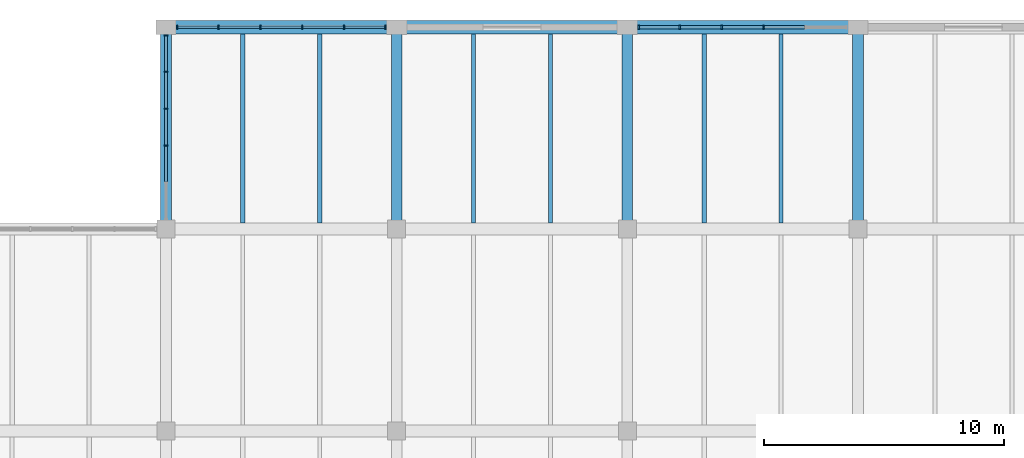
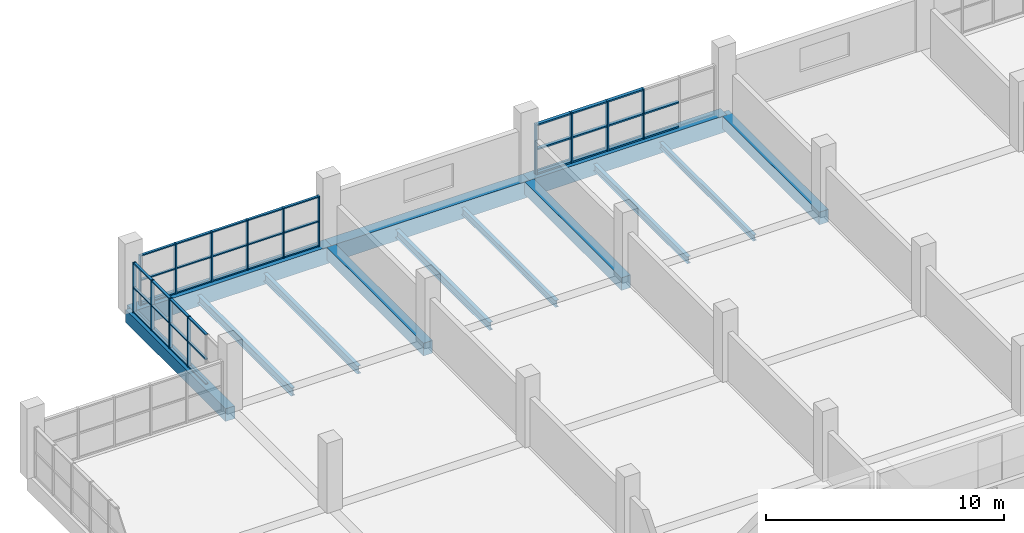
# One storey, part 85 of 147: 52 members, 13 beams, 3 elements without a shape of their own.
"""IFC4 building model written with IfcOpenShell, lengths in metres."""

from ifc_helpers import new_model, si_unit, direction, frame, origin, origin_2d, place, context, subcontext, project, spatial, rectangle, i_section, extrude, material, material_profile, profile_set, type_object, element, aggregate, save


model = new_model("IFC4")

# Units and contexts
model_context = context("Model", 3, precision=1e-05, world=origin(), true_north=direction((0.0, 1.0)))
body_context = subcontext(model_context, "Body", "Model", "MODEL_VIEW")
ifc_project = project(units=[si_unit("LENGTHUNIT", "METRE"), si_unit("AREAUNIT", "SQUARE_METRE"), si_unit("VOLUMEUNIT", "CUBIC_METRE"), si_unit("PLANEANGLEUNIT", "RADIAN"), si_unit("MASSUNIT", "GRAM", prefix="KILO")], contexts=[model_context])

# Site, building, storey
site_placement = place(None, origin())
site = spatial("IfcSite", under=ifc_project, at=site_placement, CompositionType="ELEMENT")
building_placement = place(site_placement, origin())
building = spatial("IfcBuilding", under=site, at=building_placement, Name="Oolite Switchyard Hospital", CompositionType="ELEMENT")
storey_placement = place(building_placement, frame((0.0, 0.0, 9.89990234375)))
storey = spatial("IfcBuildingStorey", under=building, at=storey_placement, Name="L02", CompositionType="ELEMENT", Elevation=9.89990234375)

# Beams
ifc_material_1 = material(Name="Concrete C40/50", Category="concrete")
ifc_material_profile_1 = material_profile(ifc_material_1, rectangle(XDim=0.449951171875, YDim=0.64990234375, at=origin_2d()), Name="RCB450X650")
ifc_profile_set_1 = profile_set([ifc_material_profile_1], Name="Concrete C40/50")
beam_type_1 = type_object("IfcBeamType", Name="BM-RC450X650", PredefinedType="BEAM", material=ifc_profile_set_1)
for number, where, z_axis, x_axis, name in (
    (1, (9.60009765625, 126.0, -0.324951171875), (0.0, 1.0, 0.0), (-1.0, 0.0, 0.0), "L02 Y-Girder 1276"),
    (2, (19.199951171875, 126.0, -0.324951171875), (0.0, 1.0, 0.0), (-1.0, 0.0, 0.0), "L02 Y-Girder 1292"),
    (3, (28.800048828125, 126.0, -0.324951171875), (0.0, 1.0, 0.0), (-1.0, 0.0, 0.0), "L02 Y-Girder 1307"),
    (4, (38.39990234375, 126.0, -0.324951171875), (0.0, 1.0, 0.0), (-1.0, 0.0, 0.0), "L02 Y-Girder 1323"),
):
    element("IfcBeam", number, at=place(storey_placement, frame(where, z_axis=z_axis, x_axis=x_axis)), inside=storey, type_object=beam_type_1, Name=name, PredefinedType="BEAM", context=body_context, shape_type="SweptSolid", body=[
        extrude(rectangle(XDim=0.449951171875, YDim=0.64990234375, at=origin_2d()), origin(), (0.0, 0.0, 1.0), 8.39990234375),
    ])
ifc_material_profile_2 = material_profile(ifc_material_1, rectangle(XDim=0.550048828125, YDim=0.85009765625, at=origin_2d()), Name="RCB550X850")
ifc_profile_set_2 = profile_set([ifc_material_profile_2], Name="Concrete C40/50")
beam_type_2 = type_object("IfcBeamType", Name="BM-RC550X850", PredefinedType="BEAM", material=ifc_profile_set_2)
beam_1_placement = place(storey_placement, frame((9.60009765625, 134.39990234375, -0.4248046875), z_axis=(1.0, 0.0, 0.0), x_axis=(0.0, 1.0, 0.0)))
element("IfcBeam", 5, at=beam_1_placement, inside=storey, type_object=beam_type_2, Name="L02 X-Girder 1235", PredefinedType="BEAM", context=body_context, shape_type="SweptSolid", body=[
    extrude(rectangle(XDim=0.550048828125, YDim=0.85009765625, at=origin_2d()), origin(), (0.0, 0.0, 1.0), 9.599853515625),
])
beam_2_placement = place(storey_placement, frame((19.199951171875, 134.39990234375, -0.4248046875), z_axis=(1.0, 0.0, 0.0), x_axis=(0.0, 1.0, 0.0)))
element("IfcBeam", 6, at=beam_2_placement, inside=storey, type_object=beam_type_2, Name="L02 X-Girder 1236", PredefinedType="BEAM", context=body_context, shape_type="SweptSolid", body=[
    extrude(rectangle(XDim=0.550048828125, YDim=0.85009765625, at=origin_2d()), origin(), (0.0, 0.0, 1.0), 9.60009765625),
])
beam_3_placement = place(storey_placement, frame((28.800048828125, 134.39990234375, -0.4248046875), z_axis=(1.0, 0.0, 0.0), x_axis=(0.0, 1.0, 0.0)))
element("IfcBeam", 7, at=beam_3_placement, inside=storey, type_object=beam_type_2, Name="L02 X-Girder 1237", PredefinedType="BEAM", context=body_context, shape_type="SweptSolid", body=[
    extrude(rectangle(XDim=0.550048828125, YDim=0.85009765625, at=origin_2d()), origin(), (0.0, 0.0, 1.0), 9.599853515625),
])
ifc_material_2 = material(Name="Steel ASTM A992 Grade 50", Category="steel")
ifc_material_profile_3 = material_profile(ifc_material_2, i_section(OverallWidth=0.1650390625, OverallDepth=0.31005859375, WebThickness=0.006103515625, FlangeThickness=0.010009765625, at=origin_2d()), Name="W12X26")
ifc_profile_set_3 = profile_set([ifc_material_profile_3], Name="Steel ASTM A992 Grade 50")
beam_type_3 = type_object("IfcBeamType", Name="BM-W12X26", PredefinedType="JOIST", material=ifc_profile_set_3)
beam_4_placement = place(storey_placement, frame((35.199951171875, 126.25, -0.414794921875), z_axis=(0.0, 1.0, 0.0), x_axis=(-1.0, 0.0, 0.0)))
element("IfcBeam", 8, at=beam_4_placement, inside=storey, type_object=beam_type_3, Name="L02 Secondary Steel Joist 1623", PredefinedType="JOIST", context=body_context, shape_type="SweptSolid", body=[
    extrude(i_section(OverallWidth=0.1650390625, OverallDepth=0.31005859375, WebThickness=0.006103515625, FlangeThickness=0.010009765625, at=origin_2d()), origin(), (0.0, 0.0, 1.0), 7.875),
])
ifc_material_profile_4 = material_profile(ifc_material_2, i_section(OverallWidth=0.1708984375, OverallDepth=0.35107421875, WebThickness=0.007080078125, FlangeThickness=0.010009765625, at=origin_2d()), Name="W14X30")
ifc_profile_set_4 = profile_set([ifc_material_profile_4], Name="Steel ASTM A992 Grade 50")
beam_type_4 = type_object("IfcBeamType", Name="BM-W14X30", PredefinedType="JOIST", material=ifc_profile_set_4)
for number, where, z_axis, x_axis, name in (
    (9, (25.60009765625, 126.25, -0.434814453125), (0.0, 1.0, 0.0), (-1.0, 0.0, 0.0), "L02 Secondary Steel Joist 1591"),
    (10, (32.0, 126.25, -0.434814453125), (0.0, 1.0, 0.0), (-1.0, 0.0, 0.0), "L02 Secondary Steel Joist 1622"),
):
    element("IfcBeam", number, at=place(storey_placement, frame(where, z_axis=z_axis, x_axis=x_axis)), inside=storey, type_object=beam_type_4, Name=name, PredefinedType="JOIST", context=body_context, shape_type="SweptSolid", body=[
        extrude(i_section(OverallWidth=0.1708984375, OverallDepth=0.35107421875, WebThickness=0.007080078125, FlangeThickness=0.010009765625, at=origin_2d()), origin(), (0.0, 0.0, 1.0), 7.875),
    ])
ifc_material_profile_5 = material_profile(ifc_material_2, i_section(OverallWidth=0.177978515625, OverallDepth=0.403076171875, WebThickness=0.008056640625, FlangeThickness=0.010986328125, at=origin_2d()), Name="W16X36")
ifc_profile_set_5 = profile_set([ifc_material_profile_5], Name="Steel ASTM A992 Grade 50")
beam_type_5 = type_object("IfcBeamType", Name="BM-W16X36", PredefinedType="JOIST", material=ifc_profile_set_5)
for number, where, z_axis, x_axis, name in (
    (11, (16.0, 126.25, -0.4609375), (0.0, 1.0, 0.0), (-1.0, 0.0, 0.0), "L02 Secondary Steel Joist 1563"),
    (12, (22.39990234375, 126.25, -0.4609375), (0.0, 1.0, 0.0), (-1.0, 0.0, 0.0), "L02 Secondary Steel Joist 1590"),
):
    element("IfcBeam", number, at=place(storey_placement, frame(where, z_axis=z_axis, x_axis=x_axis)), inside=storey, type_object=beam_type_5, Name=name, PredefinedType="JOIST", context=body_context, shape_type="SweptSolid", body=[
        extrude(i_section(OverallWidth=0.177978515625, OverallDepth=0.403076171875, WebThickness=0.008056640625, FlangeThickness=0.010986328125, at=origin_2d()), origin(), (0.0, 0.0, 1.0), 7.875),
    ])
ifc_material_profile_6 = material_profile(ifc_material_2, i_section(OverallWidth=0.179931640625, OverallDepth=0.4130859375, WebThickness=0.010009765625, FlangeThickness=0.01611328125, at=origin_2d()), Name="W16X50")
ifc_profile_set_6 = profile_set([ifc_material_profile_6], Name="Steel ASTM A992 Grade 50")
beam_type_6 = type_object("IfcBeamType", Name="BM-W16X50", PredefinedType="JOIST", material=ifc_profile_set_6)
beam_5_placement = place(storey_placement, frame((12.800048828125, 126.25, -0.4658203125), z_axis=(0.0, 1.0, 0.0), x_axis=(-1.0, 0.0, 0.0)))
element("IfcBeam", 13, at=beam_5_placement, inside=storey, type_object=beam_type_6, Name="L02 Secondary Steel Joist 1562", PredefinedType="JOIST", context=body_context, shape_type="SweptSolid", body=[
    extrude(i_section(OverallWidth=0.179931640625, OverallDepth=0.4130859375, WebThickness=0.010009765625, FlangeThickness=0.01611328125, at=origin_2d()), origin(), (0.0, 0.0, 1.0), 7.875),
])

# Curtain wall, members
ifc_material_3 = material(Name="Thermally broken aluminum frame with laminated impact glazing", Category="aluminium")
curtain_wall_type_1 = type_object("IfcCurtainWallType", Name="CW-UNIT-96X36", PredefinedType="USERDEFINED", material=ifc_material_3)
curtain_wall_1_placement = place(storey_placement, origin())
curtain_wall_1 = element("IfcCurtainWall", 14, at=curtain_wall_1_placement, inside=storey, type_object=curtain_wall_type_1, Name="L02 Unitised Curtain Wall 268", ObjectType="UNITISED", PredefinedType="USERDEFINED")
ifc_material_4 = material(Name="Aluminium 6063-T6", Category="aluminium")
ifc_material_profile_7 = material_profile(ifc_material_4, rectangle(XDim=0.159912109375, YDim=0.06005859375, at=origin_2d()), Name="CWM60X160")
ifc_profile_set_7 = profile_set([ifc_material_profile_7], Name="Aluminium 6063-T6")
member_type_1 = type_object("IfcMemberType", Name="CW-MUL-180", PredefinedType="MULLION", material=ifc_profile_set_7)
member_1_placement = place(storey_placement, frame((10.070068359375, 134.39990234375, 0.0), z_axis=(0.0, 0.0, 1.0), x_axis=(0.0, 1.0, 0.0)))
member_1 = element("IfcMember", 15, at=member_1_placement, type_object=member_type_1, Name="CW-03 mullion 1", PredefinedType="MULLION", context=body_context, shape_type="SweptSolid", body=[
    extrude(rectangle(XDim=0.159912109375, YDim=0.06005859375, at=origin_2d()), origin(), (0.0, 0.0, 1.0), 2.570068359375),
])
member_2_placement = place(storey_placement, frame((11.783935546875, 134.39990234375, 0.0), z_axis=(0.0, 0.0, 1.0), x_axis=(0.0, 1.0, 0.0)))
member_2 = element("IfcMember", 16, at=member_2_placement, type_object=member_type_1, Name="CW-03 mullion 2", PredefinedType="MULLION", context=body_context, shape_type="SweptSolid", body=[
    extrude(rectangle(XDim=0.159912109375, YDim=0.06005859375, at=origin_2d()), origin(), (0.0, 0.0, 1.0), 2.570068359375),
])
member_3_placement = place(storey_placement, frame((13.528076171875, 134.39990234375, 0.0), z_axis=(0.0, 0.0, 1.0), x_axis=(0.0, 1.0, 0.0)))
member_3 = element("IfcMember", 17, at=member_3_placement, type_object=member_type_1, Name="CW-03 mullion 3", PredefinedType="MULLION", context=body_context, shape_type="SweptSolid", body=[
    extrude(rectangle(XDim=0.159912109375, YDim=0.06005859375, at=origin_2d()), origin(), (0.0, 0.0, 1.0), 2.570068359375),
])
member_4_placement = place(storey_placement, frame((15.27197265625, 134.39990234375, 0.0), z_axis=(0.0, 0.0, 1.0), x_axis=(0.0, 1.0, 0.0)))
member_4 = element("IfcMember", 18, at=member_4_placement, type_object=member_type_1, Name="CW-03 mullion 4", PredefinedType="MULLION", context=body_context, shape_type="SweptSolid", body=[
    extrude(rectangle(XDim=0.159912109375, YDim=0.06005859375, at=origin_2d()), origin(), (0.0, 0.0, 1.0), 2.570068359375),
])
member_5_placement = place(storey_placement, frame((17.01611328125, 134.39990234375, 0.0), z_axis=(0.0, 0.0, 1.0), x_axis=(0.0, 1.0, 0.0)))
member_5 = element("IfcMember", 19, at=member_5_placement, type_object=member_type_1, Name="CW-03 mullion 5", PredefinedType="MULLION", context=body_context, shape_type="SweptSolid", body=[
    extrude(rectangle(XDim=0.159912109375, YDim=0.06005859375, at=origin_2d()), origin(), (0.0, 0.0, 1.0), 2.570068359375),
])
member_6_placement = place(storey_placement, frame((18.72998046875, 134.39990234375, 0.0), z_axis=(0.0, 0.0, 1.0), x_axis=(0.0, 1.0, 0.0)))
member_6 = element("IfcMember", 20, at=member_6_placement, type_object=member_type_1, Name="CW-03 mullion 6", PredefinedType="MULLION", context=body_context, shape_type="SweptSolid", body=[
    extrude(rectangle(XDim=0.159912109375, YDim=0.06005859375, at=origin_2d()), origin(), (0.0, 0.0, 1.0), 2.570068359375),
])

curtain_wall_type_2 = type_object("IfcCurtainWallType", Name="CW-UNIT-84X36", PredefinedType="USERDEFINED", material=ifc_material_3)
curtain_wall_2_placement = place(storey_placement, origin())
curtain_wall_2 = element("IfcCurtainWall", 21, at=curtain_wall_2_placement, inside=storey, type_object=curtain_wall_type_2, Name="L02 Unitised Curtain Wall 280", ObjectType="UNITISED", PredefinedType="USERDEFINED")
member_7_placement = place(storey_placement, frame((9.60009765625, 129.468017578125, 0.0), z_axis=(0.0, 0.0, 1.0), x_axis=(-1.0, 0.0, 0.0)))
member_7 = element("IfcMember", 22, at=member_7_placement, type_object=member_type_1, Name="CW-08 mullion 3", PredefinedType="MULLION", context=body_context, shape_type="SweptSolid", body=[
    extrude(rectangle(XDim=0.159912109375, YDim=0.06005859375, at=origin_2d()), origin(), (0.0, 0.0, 1.0), 2.570068359375),
])
member_8_placement = place(storey_placement, frame((9.60009765625, 131.007080078125, 0.0), z_axis=(0.0, 0.0, 1.0), x_axis=(-1.0, 0.0, 0.0)))
member_8 = element("IfcMember", 23, at=member_8_placement, type_object=member_type_1, Name="CW-08 mullion 4", PredefinedType="MULLION", context=body_context, shape_type="SweptSolid", body=[
    extrude(rectangle(XDim=0.159912109375, YDim=0.06005859375, at=origin_2d()), origin(), (0.0, 0.0, 1.0), 2.570068359375),
])
member_9_placement = place(storey_placement, frame((9.60009765625, 132.5458984375, 0.0), z_axis=(0.0, 0.0, 1.0), x_axis=(-1.0, 0.0, 0.0)))
member_9 = element("IfcMember", 24, at=member_9_placement, type_object=member_type_1, Name="CW-08 mullion 5", PredefinedType="MULLION", context=body_context, shape_type="SweptSolid", body=[
    extrude(rectangle(XDim=0.159912109375, YDim=0.06005859375, at=origin_2d()), origin(), (0.0, 0.0, 1.0), 2.570068359375),
])
member_10_placement = place(storey_placement, frame((9.60009765625, 134.054931640625, 0.0), z_axis=(0.0, 0.0, 1.0), x_axis=(-1.0, 0.0, 0.0)))
member_10 = element("IfcMember", 25, at=member_10_placement, type_object=member_type_1, Name="CW-08 mullion 6", PredefinedType="MULLION", context=body_context, shape_type="SweptSolid", body=[
    extrude(rectangle(XDim=0.159912109375, YDim=0.06005859375, at=origin_2d()), origin(), (0.0, 0.0, 1.0), 2.570068359375),
])

curtain_wall_3_placement = place(storey_placement, origin())
curtain_wall_3 = element("IfcCurtainWall", 26, at=curtain_wall_3_placement, inside=storey, type_object=curtain_wall_type_1, Name="L02 Unitised Curtain Wall 269", ObjectType="UNITISED", PredefinedType="USERDEFINED")
ifc_material_profile_8 = material_profile(ifc_material_4, rectangle(XDim=0.179931640625, YDim=0.070068359375, at=origin_2d()), Name="CWM70X180")
ifc_profile_set_8 = profile_set([ifc_material_profile_8], Name="Aluminium 6063-T6")
member_type_2 = type_object("IfcMemberType", Name="CW-MUL-220", PredefinedType="MULLION", material=ifc_profile_set_8)
member_11_placement = place(storey_placement, frame((29.27490234375, 134.39990234375, 0.0), z_axis=(0.0, 0.0, 1.0), x_axis=(0.0, 1.0, 0.0)))
member_11 = element("IfcMember", 27, at=member_11_placement, type_object=member_type_2, Name="CW-03 mullion 1", PredefinedType="MULLION", context=body_context, shape_type="SweptSolid", body=[
    extrude(rectangle(XDim=0.179931640625, YDim=0.070068359375, at=origin_2d()), origin(), (0.0, 0.0, 1.0), 2.570068359375),
])
member_12_placement = place(storey_placement, frame((30.98388671875, 134.39990234375, 0.0), z_axis=(0.0, 0.0, 1.0), x_axis=(0.0, 1.0, 0.0)))
member_12 = element("IfcMember", 28, at=member_12_placement, type_object=member_type_2, Name="CW-03 mullion 2", PredefinedType="MULLION", context=body_context, shape_type="SweptSolid", body=[
    extrude(rectangle(XDim=0.179931640625, YDim=0.070068359375, at=origin_2d()), origin(), (0.0, 0.0, 1.0), 2.570068359375),
])
member_13_placement = place(storey_placement, frame((32.72802734375, 134.39990234375, 0.0), z_axis=(0.0, 0.0, 1.0), x_axis=(0.0, 1.0, 0.0)))
member_13 = element("IfcMember", 29, at=member_13_placement, type_object=member_type_2, Name="CW-03 mullion 3", PredefinedType="MULLION", context=body_context, shape_type="SweptSolid", body=[
    extrude(rectangle(XDim=0.179931640625, YDim=0.070068359375, at=origin_2d()), origin(), (0.0, 0.0, 1.0), 2.570068359375),
])
member_14_placement = place(storey_placement, frame((34.471923828125, 134.39990234375, 0.0), z_axis=(0.0, 0.0, 1.0), x_axis=(0.0, 1.0, 0.0)))
member_14 = element("IfcMember", 30, at=member_14_placement, type_object=member_type_2, Name="CW-03 mullion 4", PredefinedType="MULLION", context=body_context, shape_type="SweptSolid", body=[
    extrude(rectangle(XDim=0.179931640625, YDim=0.070068359375, at=origin_2d()), origin(), (0.0, 0.0, 1.0), 2.570068359375),
])

# Member
ifc_material_profile_9 = material_profile(ifc_material_4, rectangle(XDim=0.1201171875, YDim=0.06005859375, at=origin_2d()), Name="CWT60X120")
ifc_profile_set_9 = profile_set([ifc_material_profile_9], Name="Aluminium 6063-T6")
member_type_3 = type_object("IfcMemberType", Name="CW-TRN-150", PredefinedType="USERDEFINED", material=ifc_profile_set_9)
member_15_placement = place(storey_placement, frame((10.10009765625, 134.39990234375, 0.030029296875), z_axis=(1.0, 0.0, 0.0), x_axis=(0.0, 1.0, 0.0)))
member_15 = element("IfcMember", 31, at=member_15_placement, type_object=member_type_3, Name="CW-03 transom 1.1", ObjectType="TRANSOM", PredefinedType="USERDEFINED", context=body_context, shape_type="SweptSolid", body=[
    extrude(rectangle(XDim=0.1201171875, YDim=0.06005859375, at=origin_2d()), origin(), (0.0, 0.0, 1.0), 1.65380859375),
])

member_16_placement = place(storey_placement, frame((10.10009765625, 134.39990234375, 1.28515625), z_axis=(1.0, 0.0, 0.0), x_axis=(0.0, 1.0, 0.0)))
member_16 = element("IfcMember", 32, at=member_16_placement, type_object=member_type_3, Name="CW-03 transom 1.2", ObjectType="TRANSOM", PredefinedType="USERDEFINED", context=body_context, shape_type="SweptSolid", body=[
    extrude(rectangle(XDim=0.1201171875, YDim=0.06005859375, at=origin_2d()), origin(), (0.0, 0.0, 1.0), 1.65380859375),
])

member_17_placement = place(storey_placement, frame((10.10009765625, 134.39990234375, 2.5400390625), z_axis=(1.0, 0.0, 0.0), x_axis=(0.0, 1.0, 0.0)))
member_17 = element("IfcMember", 33, at=member_17_placement, type_object=member_type_3, Name="CW-03 transom 1.3", ObjectType="TRANSOM", PredefinedType="USERDEFINED", context=body_context, shape_type="SweptSolid", body=[
    extrude(rectangle(XDim=0.1201171875, YDim=0.06005859375, at=origin_2d()), origin(), (0.0, 0.0, 1.0), 1.65380859375),
])

member_18_placement = place(storey_placement, frame((11.81396484375, 134.39990234375, 0.030029296875), z_axis=(1.0, 0.0, 0.0), x_axis=(0.0, 1.0, 0.0)))
member_18 = element("IfcMember", 34, at=member_18_placement, type_object=member_type_3, Name="CW-03 transom 2.1", ObjectType="TRANSOM", PredefinedType="USERDEFINED", context=body_context, shape_type="SweptSolid", body=[
    extrude(rectangle(XDim=0.1201171875, YDim=0.06005859375, at=origin_2d()), origin(), (0.0, 0.0, 1.0), 1.68408203125),
])

member_19_placement = place(storey_placement, frame((11.81396484375, 134.39990234375, 1.28515625), z_axis=(1.0, 0.0, 0.0), x_axis=(0.0, 1.0, 0.0)))
member_19 = element("IfcMember", 35, at=member_19_placement, type_object=member_type_3, Name="CW-03 transom 2.2", ObjectType="TRANSOM", PredefinedType="USERDEFINED", context=body_context, shape_type="SweptSolid", body=[
    extrude(rectangle(XDim=0.1201171875, YDim=0.06005859375, at=origin_2d()), origin(), (0.0, 0.0, 1.0), 1.68408203125),
])

member_20_placement = place(storey_placement, frame((11.81396484375, 134.39990234375, 2.5400390625), z_axis=(1.0, 0.0, 0.0), x_axis=(0.0, 1.0, 0.0)))
member_20 = element("IfcMember", 36, at=member_20_placement, type_object=member_type_3, Name="CW-03 transom 2.3", ObjectType="TRANSOM", PredefinedType="USERDEFINED", context=body_context, shape_type="SweptSolid", body=[
    extrude(rectangle(XDim=0.1201171875, YDim=0.06005859375, at=origin_2d()), origin(), (0.0, 0.0, 1.0), 1.68408203125),
])

member_21_placement = place(storey_placement, frame((13.55810546875, 134.39990234375, 0.030029296875), z_axis=(1.0, 0.0, 0.0), x_axis=(0.0, 1.0, 0.0)))
member_21 = element("IfcMember", 37, at=member_21_placement, type_object=member_type_3, Name="CW-03 transom 3.1", ObjectType="TRANSOM", PredefinedType="USERDEFINED", context=body_context, shape_type="SweptSolid", body=[
    extrude(rectangle(XDim=0.1201171875, YDim=0.06005859375, at=origin_2d()), origin(), (0.0, 0.0, 1.0), 1.683837890625),
])

member_22_placement = place(storey_placement, frame((13.55810546875, 134.39990234375, 1.28515625), z_axis=(1.0, 0.0, 0.0), x_axis=(0.0, 1.0, 0.0)))
member_22 = element("IfcMember", 38, at=member_22_placement, type_object=member_type_3, Name="CW-03 transom 3.2", ObjectType="TRANSOM", PredefinedType="USERDEFINED", context=body_context, shape_type="SweptSolid", body=[
    extrude(rectangle(XDim=0.1201171875, YDim=0.06005859375, at=origin_2d()), origin(), (0.0, 0.0, 1.0), 1.683837890625),
])

member_23_placement = place(storey_placement, frame((13.55810546875, 134.39990234375, 2.5400390625), z_axis=(1.0, 0.0, 0.0), x_axis=(0.0, 1.0, 0.0)))
member_23 = element("IfcMember", 39, at=member_23_placement, type_object=member_type_3, Name="CW-03 transom 3.3", ObjectType="TRANSOM", PredefinedType="USERDEFINED", context=body_context, shape_type="SweptSolid", body=[
    extrude(rectangle(XDim=0.1201171875, YDim=0.06005859375, at=origin_2d()), origin(), (0.0, 0.0, 1.0), 1.683837890625),
])

member_24_placement = place(storey_placement, frame((15.302001953125, 134.39990234375, 0.030029296875), z_axis=(1.0, 0.0, 0.0), x_axis=(0.0, 1.0, 0.0)))
member_24 = element("IfcMember", 40, at=member_24_placement, type_object=member_type_3, Name="CW-03 transom 4.1", ObjectType="TRANSOM", PredefinedType="USERDEFINED", context=body_context, shape_type="SweptSolid", body=[
    extrude(rectangle(XDim=0.1201171875, YDim=0.06005859375, at=origin_2d()), origin(), (0.0, 0.0, 1.0), 1.68408203125),
])

member_25_placement = place(storey_placement, frame((15.302001953125, 134.39990234375, 1.28515625), z_axis=(1.0, 0.0, 0.0), x_axis=(0.0, 1.0, 0.0)))
member_25 = element("IfcMember", 41, at=member_25_placement, type_object=member_type_3, Name="CW-03 transom 4.2", ObjectType="TRANSOM", PredefinedType="USERDEFINED", context=body_context, shape_type="SweptSolid", body=[
    extrude(rectangle(XDim=0.1201171875, YDim=0.06005859375, at=origin_2d()), origin(), (0.0, 0.0, 1.0), 1.68408203125),
])

member_26_placement = place(storey_placement, frame((15.302001953125, 134.39990234375, 2.5400390625), z_axis=(1.0, 0.0, 0.0), x_axis=(0.0, 1.0, 0.0)))
member_26 = element("IfcMember", 42, at=member_26_placement, type_object=member_type_3, Name="CW-03 transom 4.3", ObjectType="TRANSOM", PredefinedType="USERDEFINED", context=body_context, shape_type="SweptSolid", body=[
    extrude(rectangle(XDim=0.1201171875, YDim=0.06005859375, at=origin_2d()), origin(), (0.0, 0.0, 1.0), 1.68408203125),
])

member_27_placement = place(storey_placement, frame((17.0458984375, 134.39990234375, 0.030029296875), z_axis=(1.0, 0.0, 0.0), x_axis=(0.0, 1.0, 0.0)))
member_27 = element("IfcMember", 43, at=member_27_placement, type_object=member_type_3, Name="CW-03 transom 5.1", ObjectType="TRANSOM", PredefinedType="USERDEFINED", context=body_context, shape_type="SweptSolid", body=[
    extrude(rectangle(XDim=0.1201171875, YDim=0.06005859375, at=origin_2d()), origin(), (0.0, 0.0, 1.0), 1.654052734375),
])

member_28_placement = place(storey_placement, frame((17.0458984375, 134.39990234375, 1.28515625), z_axis=(1.0, 0.0, 0.0), x_axis=(0.0, 1.0, 0.0)))
member_28 = element("IfcMember", 44, at=member_28_placement, type_object=member_type_3, Name="CW-03 transom 5.2", ObjectType="TRANSOM", PredefinedType="USERDEFINED", context=body_context, shape_type="SweptSolid", body=[
    extrude(rectangle(XDim=0.1201171875, YDim=0.06005859375, at=origin_2d()), origin(), (0.0, 0.0, 1.0), 1.654052734375),
])

member_29_placement = place(storey_placement, frame((17.0458984375, 134.39990234375, 2.5400390625), z_axis=(1.0, 0.0, 0.0), x_axis=(0.0, 1.0, 0.0)))
member_29 = element("IfcMember", 45, at=member_29_placement, type_object=member_type_3, Name="CW-03 transom 5.3", ObjectType="TRANSOM", PredefinedType="USERDEFINED", context=body_context, shape_type="SweptSolid", body=[
    extrude(rectangle(XDim=0.1201171875, YDim=0.06005859375, at=origin_2d()), origin(), (0.0, 0.0, 1.0), 1.654052734375),
])

aggregate(curtain_wall_1, [member_1, member_2, member_3, member_4, member_5, member_6, member_15, member_16, member_17, member_18, member_19, member_20, member_21, member_22, member_23, member_24, member_25, member_26, member_27, member_28, member_29])

member_30_placement = place(storey_placement, frame((9.60009765625, 127.958984375, 0.030029296875), z_axis=(0.0, 1.0, 0.0), x_axis=(-1.0, 0.0, 0.0)))
member_30 = element("IfcMember", 46, at=member_30_placement, type_object=member_type_3, Name="CW-08 transom 2.1", ObjectType="TRANSOM", PredefinedType="USERDEFINED", context=body_context, shape_type="SweptSolid", body=[
    extrude(rectangle(XDim=0.1201171875, YDim=0.06005859375, at=origin_2d()), origin(), (0.0, 0.0, 1.0), 1.47900390625),
])

member_31_placement = place(storey_placement, frame((9.60009765625, 127.958984375, 1.28515625), z_axis=(0.0, 1.0, 0.0), x_axis=(-1.0, 0.0, 0.0)))
member_31 = element("IfcMember", 47, at=member_31_placement, type_object=member_type_3, Name="CW-08 transom 2.2", ObjectType="TRANSOM", PredefinedType="USERDEFINED", context=body_context, shape_type="SweptSolid", body=[
    extrude(rectangle(XDim=0.1201171875, YDim=0.06005859375, at=origin_2d()), origin(), (0.0, 0.0, 1.0), 1.47900390625),
])

member_32_placement = place(storey_placement, frame((9.60009765625, 127.958984375, 2.5400390625), z_axis=(0.0, 1.0, 0.0), x_axis=(-1.0, 0.0, 0.0)))
member_32 = element("IfcMember", 48, at=member_32_placement, type_object=member_type_3, Name="CW-08 transom 2.3", ObjectType="TRANSOM", PredefinedType="USERDEFINED", context=body_context, shape_type="SweptSolid", body=[
    extrude(rectangle(XDim=0.1201171875, YDim=0.06005859375, at=origin_2d()), origin(), (0.0, 0.0, 1.0), 1.47900390625),
])

member_33_placement = place(storey_placement, frame((9.60009765625, 129.498046875, 0.030029296875), z_axis=(0.0, 1.0, 0.0), x_axis=(-1.0, 0.0, 0.0)))
member_33 = element("IfcMember", 49, at=member_33_placement, type_object=member_type_3, Name="CW-08 transom 3.1", ObjectType="TRANSOM", PredefinedType="USERDEFINED", context=body_context, shape_type="SweptSolid", body=[
    extrude(rectangle(XDim=0.1201171875, YDim=0.06005859375, at=origin_2d()), origin(), (0.0, 0.0, 1.0), 1.47900390625),
])

member_34_placement = place(storey_placement, frame((9.60009765625, 129.498046875, 1.28515625), z_axis=(0.0, 1.0, 0.0), x_axis=(-1.0, 0.0, 0.0)))
member_34 = element("IfcMember", 50, at=member_34_placement, type_object=member_type_3, Name="CW-08 transom 3.2", ObjectType="TRANSOM", PredefinedType="USERDEFINED", context=body_context, shape_type="SweptSolid", body=[
    extrude(rectangle(XDim=0.1201171875, YDim=0.06005859375, at=origin_2d()), origin(), (0.0, 0.0, 1.0), 1.47900390625),
])

member_35_placement = place(storey_placement, frame((9.60009765625, 129.498046875, 2.5400390625), z_axis=(0.0, 1.0, 0.0), x_axis=(-1.0, 0.0, 0.0)))
member_35 = element("IfcMember", 51, at=member_35_placement, type_object=member_type_3, Name="CW-08 transom 3.3", ObjectType="TRANSOM", PredefinedType="USERDEFINED", context=body_context, shape_type="SweptSolid", body=[
    extrude(rectangle(XDim=0.1201171875, YDim=0.06005859375, at=origin_2d()), origin(), (0.0, 0.0, 1.0), 1.47900390625),
])

member_36_placement = place(storey_placement, frame((9.60009765625, 131.037109375, 0.030029296875), z_axis=(0.0, 1.0, 0.0), x_axis=(-1.0, 0.0, 0.0)))
member_36 = element("IfcMember", 52, at=member_36_placement, type_object=member_type_3, Name="CW-08 transom 4.1", ObjectType="TRANSOM", PredefinedType="USERDEFINED", context=body_context, shape_type="SweptSolid", body=[
    extrude(rectangle(XDim=0.1201171875, YDim=0.06005859375, at=origin_2d()), origin(), (0.0, 0.0, 1.0), 1.47900390625),
])

member_37_placement = place(storey_placement, frame((9.60009765625, 131.037109375, 1.28515625), z_axis=(0.0, 1.0, 0.0), x_axis=(-1.0, 0.0, 0.0)))
member_37 = element("IfcMember", 53, at=member_37_placement, type_object=member_type_3, Name="CW-08 transom 4.2", ObjectType="TRANSOM", PredefinedType="USERDEFINED", context=body_context, shape_type="SweptSolid", body=[
    extrude(rectangle(XDim=0.1201171875, YDim=0.06005859375, at=origin_2d()), origin(), (0.0, 0.0, 1.0), 1.47900390625),
])

member_38_placement = place(storey_placement, frame((9.60009765625, 131.037109375, 2.5400390625), z_axis=(0.0, 1.0, 0.0), x_axis=(-1.0, 0.0, 0.0)))
member_38 = element("IfcMember", 54, at=member_38_placement, type_object=member_type_3, Name="CW-08 transom 4.3", ObjectType="TRANSOM", PredefinedType="USERDEFINED", context=body_context, shape_type="SweptSolid", body=[
    extrude(rectangle(XDim=0.1201171875, YDim=0.06005859375, at=origin_2d()), origin(), (0.0, 0.0, 1.0), 1.47900390625),
])

member_39_placement = place(storey_placement, frame((9.60009765625, 132.575927734375, 0.030029296875), z_axis=(0.0, 1.0, 0.0), x_axis=(-1.0, 0.0, 0.0)))
member_39 = element("IfcMember", 55, at=member_39_placement, type_object=member_type_3, Name="CW-08 transom 5.1", ObjectType="TRANSOM", PredefinedType="USERDEFINED", context=body_context, shape_type="SweptSolid", body=[
    extrude(rectangle(XDim=0.1201171875, YDim=0.06005859375, at=origin_2d()), origin(), (0.0, 0.0, 1.0), 1.448974609375),
])

member_40_placement = place(storey_placement, frame((9.60009765625, 132.575927734375, 1.28515625), z_axis=(0.0, 1.0, 0.0), x_axis=(-1.0, 0.0, 0.0)))
member_40 = element("IfcMember", 56, at=member_40_placement, type_object=member_type_3, Name="CW-08 transom 5.2", ObjectType="TRANSOM", PredefinedType="USERDEFINED", context=body_context, shape_type="SweptSolid", body=[
    extrude(rectangle(XDim=0.1201171875, YDim=0.06005859375, at=origin_2d()), origin(), (0.0, 0.0, 1.0), 1.448974609375),
])

member_41_placement = place(storey_placement, frame((9.60009765625, 132.575927734375, 2.5400390625), z_axis=(0.0, 1.0, 0.0), x_axis=(-1.0, 0.0, 0.0)))
member_41 = element("IfcMember", 57, at=member_41_placement, type_object=member_type_3, Name="CW-08 transom 5.3", ObjectType="TRANSOM", PredefinedType="USERDEFINED", context=body_context, shape_type="SweptSolid", body=[
    extrude(rectangle(XDim=0.1201171875, YDim=0.06005859375, at=origin_2d()), origin(), (0.0, 0.0, 1.0), 1.448974609375),
])

aggregate(curtain_wall_2, [member_7, member_8, member_9, member_10, member_30, member_31, member_32, member_33, member_34, member_35, member_36, member_37, member_38, member_39, member_40, member_41])

ifc_material_profile_10 = material_profile(ifc_material_4, rectangle(XDim=0.159912109375, YDim=0.074951171875, at=origin_2d()), Name="CWT75X160")
ifc_profile_set_10 = profile_set([ifc_material_profile_10], Name="Aluminium 6063-T6")
member_type_4 = type_object("IfcMemberType", Name="CW-TRN-180", PredefinedType="USERDEFINED", material=ifc_profile_set_10)
member_42_placement = place(storey_placement, frame((29.31005859375, 134.39990234375, 0.03759765625), z_axis=(1.0, 0.0, 0.0), x_axis=(0.0, 1.0, 0.0)))
member_42 = element("IfcMember", 58, at=member_42_placement, type_object=member_type_4, Name="CW-03 transom 1.1", ObjectType="TRANSOM", PredefinedType="USERDEFINED", context=body_context, shape_type="SweptSolid", body=[
    extrude(rectangle(XDim=0.159912109375, YDim=0.074951171875, at=origin_2d()), origin(), (0.0, 0.0, 1.0), 1.638916015625),
])

member_43_placement = place(storey_placement, frame((29.31005859375, 134.39990234375, 1.28515625), z_axis=(1.0, 0.0, 0.0), x_axis=(0.0, 1.0, 0.0)))
member_43 = element("IfcMember", 59, at=member_43_placement, type_object=member_type_4, Name="CW-03 transom 1.2", ObjectType="TRANSOM", PredefinedType="USERDEFINED", context=body_context, shape_type="SweptSolid", body=[
    extrude(rectangle(XDim=0.159912109375, YDim=0.074951171875, at=origin_2d()), origin(), (0.0, 0.0, 1.0), 1.638916015625),
])

member_44_placement = place(storey_placement, frame((29.31005859375, 134.39990234375, 2.53271484375), z_axis=(1.0, 0.0, 0.0), x_axis=(0.0, 1.0, 0.0)))
member_44 = element("IfcMember", 60, at=member_44_placement, type_object=member_type_4, Name="CW-03 transom 1.3", ObjectType="TRANSOM", PredefinedType="USERDEFINED", context=body_context, shape_type="SweptSolid", body=[
    extrude(rectangle(XDim=0.159912109375, YDim=0.074951171875, at=origin_2d()), origin(), (0.0, 0.0, 1.0), 1.638916015625),
])

member_45_placement = place(storey_placement, frame((31.01904296875, 134.39990234375, 0.03759765625), z_axis=(1.0, 0.0, 0.0), x_axis=(0.0, 1.0, 0.0)))
member_45 = element("IfcMember", 61, at=member_45_placement, type_object=member_type_4, Name="CW-03 transom 2.1", ObjectType="TRANSOM", PredefinedType="USERDEFINED", context=body_context, shape_type="SweptSolid", body=[
    extrude(rectangle(XDim=0.159912109375, YDim=0.074951171875, at=origin_2d()), origin(), (0.0, 0.0, 1.0), 1.674072265625),
])

member_46_placement = place(storey_placement, frame((31.01904296875, 134.39990234375, 1.28515625), z_axis=(1.0, 0.0, 0.0), x_axis=(0.0, 1.0, 0.0)))
member_46 = element("IfcMember", 62, at=member_46_placement, type_object=member_type_4, Name="CW-03 transom 2.2", ObjectType="TRANSOM", PredefinedType="USERDEFINED", context=body_context, shape_type="SweptSolid", body=[
    extrude(rectangle(XDim=0.159912109375, YDim=0.074951171875, at=origin_2d()), origin(), (0.0, 0.0, 1.0), 1.674072265625),
])

member_47_placement = place(storey_placement, frame((31.01904296875, 134.39990234375, 2.53271484375), z_axis=(1.0, 0.0, 0.0), x_axis=(0.0, 1.0, 0.0)))
member_47 = element("IfcMember", 63, at=member_47_placement, type_object=member_type_4, Name="CW-03 transom 2.3", ObjectType="TRANSOM", PredefinedType="USERDEFINED", context=body_context, shape_type="SweptSolid", body=[
    extrude(rectangle(XDim=0.159912109375, YDim=0.074951171875, at=origin_2d()), origin(), (0.0, 0.0, 1.0), 1.674072265625),
])

member_48_placement = place(storey_placement, frame((32.762939453125, 134.39990234375, 0.03759765625), z_axis=(1.0, 0.0, 0.0), x_axis=(0.0, 1.0, 0.0)))
member_48 = element("IfcMember", 64, at=member_48_placement, type_object=member_type_4, Name="CW-03 transom 3.1", ObjectType="TRANSOM", PredefinedType="USERDEFINED", context=body_context, shape_type="SweptSolid", body=[
    extrude(rectangle(XDim=0.159912109375, YDim=0.074951171875, at=origin_2d()), origin(), (0.0, 0.0, 1.0), 1.674072265625),
])

member_49_placement = place(storey_placement, frame((32.762939453125, 134.39990234375, 1.28515625), z_axis=(1.0, 0.0, 0.0), x_axis=(0.0, 1.0, 0.0)))
member_49 = element("IfcMember", 65, at=member_49_placement, type_object=member_type_4, Name="CW-03 transom 3.2", ObjectType="TRANSOM", PredefinedType="USERDEFINED", context=body_context, shape_type="SweptSolid", body=[
    extrude(rectangle(XDim=0.159912109375, YDim=0.074951171875, at=origin_2d()), origin(), (0.0, 0.0, 1.0), 1.674072265625),
])

member_50_placement = place(storey_placement, frame((32.762939453125, 134.39990234375, 2.53271484375), z_axis=(1.0, 0.0, 0.0), x_axis=(0.0, 1.0, 0.0)))
member_50 = element("IfcMember", 66, at=member_50_placement, type_object=member_type_4, Name="CW-03 transom 3.3", ObjectType="TRANSOM", PredefinedType="USERDEFINED", context=body_context, shape_type="SweptSolid", body=[
    extrude(rectangle(XDim=0.159912109375, YDim=0.074951171875, at=origin_2d()), origin(), (0.0, 0.0, 1.0), 1.674072265625),
])

member_51_placement = place(storey_placement, frame((34.507080078125, 134.39990234375, 0.03759765625), z_axis=(1.0, 0.0, 0.0), x_axis=(0.0, 1.0, 0.0)))
member_51 = element("IfcMember", 67, at=member_51_placement, type_object=member_type_4, Name="CW-03 transom 4.1", ObjectType="TRANSOM", PredefinedType="USERDEFINED", context=body_context, shape_type="SweptSolid", body=[
    extrude(rectangle(XDim=0.159912109375, YDim=0.074951171875, at=origin_2d()), origin(), (0.0, 0.0, 1.0), 1.673828125),
])

member_52_placement = place(storey_placement, frame((34.507080078125, 134.39990234375, 1.28515625), z_axis=(1.0, 0.0, 0.0), x_axis=(0.0, 1.0, 0.0)))
member_52 = element("IfcMember", 68, at=member_52_placement, type_object=member_type_4, Name="CW-03 transom 4.2", ObjectType="TRANSOM", PredefinedType="USERDEFINED", context=body_context, shape_type="SweptSolid", body=[
    extrude(rectangle(XDim=0.159912109375, YDim=0.074951171875, at=origin_2d()), origin(), (0.0, 0.0, 1.0), 1.673828125),
])

aggregate(curtain_wall_3, [member_11, member_12, member_13, member_14, member_42, member_43, member_44, member_45, member_46, member_47, member_48, member_49, member_50, member_51, member_52])

save(model, "model.ifc")
